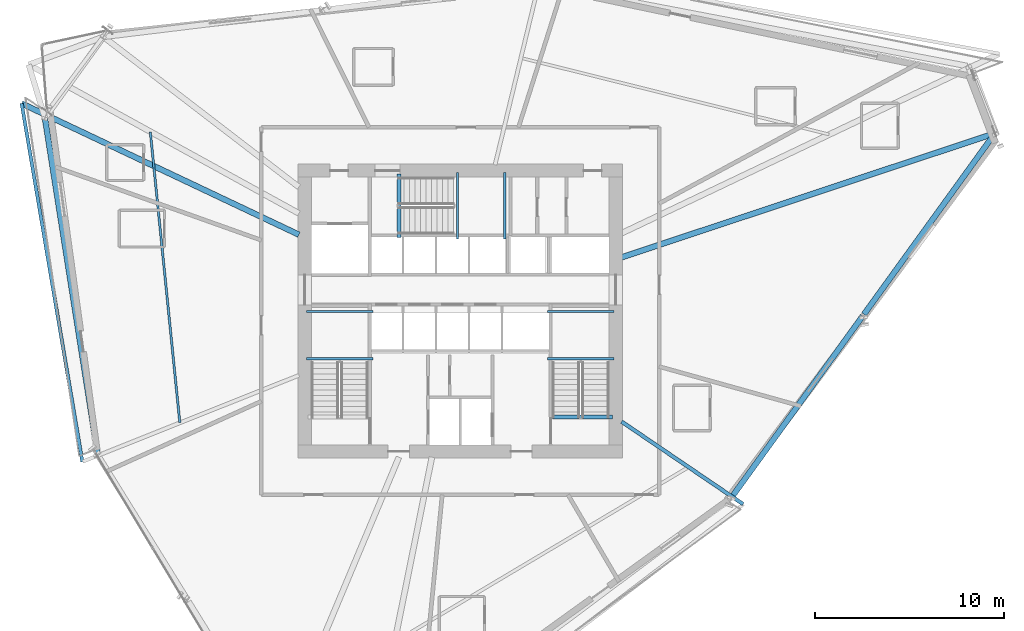
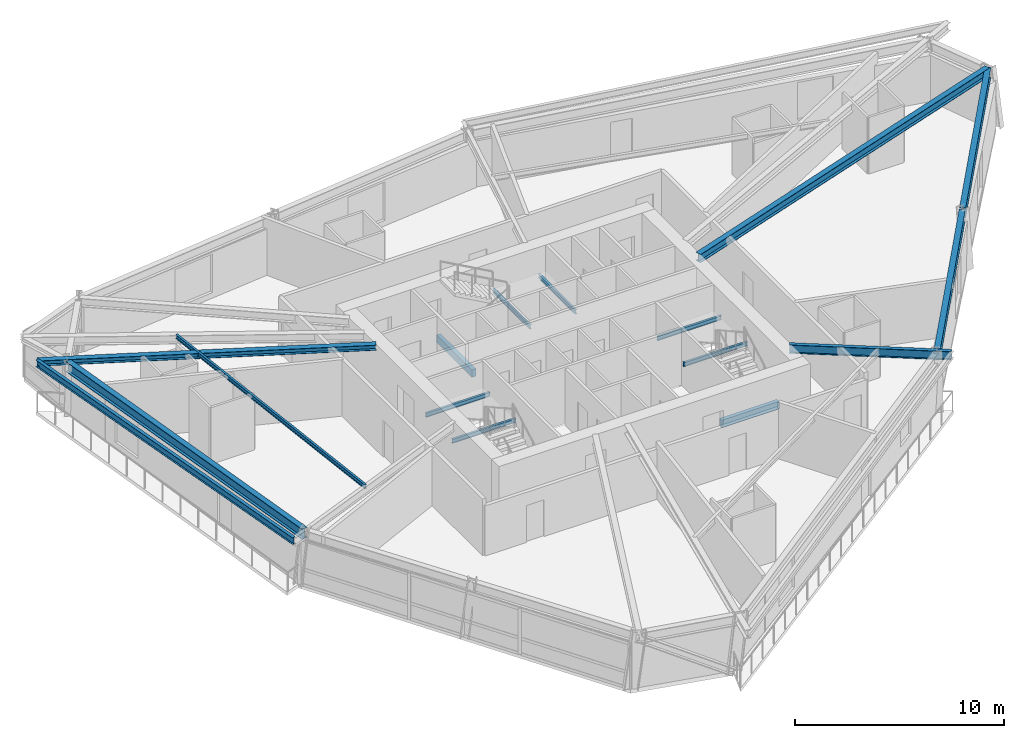
# One storey, part 5 of 18: 16 beams.
"""IFC4 building model written with IfcOpenShell, lengths in metres."""

from ifc_helpers import new_model, si_unit, direction, frame, origin, origin_2d, place, context, subcontext, project, spatial, rectangle, i_section, extrude, source, transform, mapped, material, material_profile, profile_set, type_object, element, save


model = new_model("IFC4")

# Units and contexts
model_context = context("Model", 3, precision=1e-05, world=origin(), true_north=direction((0.0, 1.0)))
body_context = subcontext(model_context, "Body", "Model", "MODEL_VIEW")
ifc_project = project(units=[si_unit("LENGTHUNIT", "METRE"), si_unit("AREAUNIT", "SQUARE_METRE"), si_unit("VOLUMEUNIT", "CUBIC_METRE"), si_unit("PLANEANGLEUNIT", "RADIAN"), si_unit("MASSUNIT", "GRAM", prefix="KILO")], contexts=[model_context])

# Site, building, storey
site_placement = place(None, origin())
site = spatial("IfcSite", under=ifc_project, at=site_placement, CompositionType="ELEMENT")
building_placement = place(site_placement, origin())
building = spatial("IfcBuilding", under=site, at=building_placement, Name="Olszyna Solenne Hotel", CompositionType="ELEMENT")
storey_placement = place(building_placement, frame((0.0, 0.0, 119.89990234375)))
storey = spatial("IfcBuildingStorey", under=building, at=storey_placement, Name="L31", CompositionType="ELEMENT", Elevation=119.89990234375)

# Beams
ifc_material_1 = material(Name="Steel S355J2", Category="steel")
ifc_material_profile_1 = material_profile(ifc_material_1, i_section(OverallWidth=0.300048828125, OverallDepth=0.60009765625, WebThickness=0.015380859375, FlangeThickness=0.030029296875, at=origin_2d()), Name="HEB 600", Category="load-bearing")
ifc_profile_set_1 = profile_set([ifc_material_profile_1], Name="Steel S355J2")
beam_type_1 = type_object("IfcBeamType", Name="BM-S2", PredefinedType="BEAM", material=ifc_profile_set_1)
shared_shape_1 = source(origin(), body_context, "Body", "SweptSolid", [
    extrude(i_section(OverallWidth=0.300048828125, OverallDepth=0.60009765625, WebThickness=0.015380859375, FlangeThickness=0.030029296875, at=origin_2d()), origin(), (0.0, 0.0, 1.0), 18.000732421875),
])
beam_1_placement = place(storey_placement, frame((15.97998046875, 36.7822265625, 3.0), z_axis=(0.155172032037, -0.987887463466, 0.0), x_axis=(0.987887463466, 0.155172032037, 0.0)))
element("IfcBeam", 1, at=beam_1_placement, inside=storey, type_object=beam_type_1, Name="Perimeter spandrel beam BM-S2 B-L31-0932", PredefinedType="BEAM", context=body_context, shape_type="MappedRepresentation", body=[
    mapped(shared_shape_1, transform((0.0, 0.0, 0.0), x_axis=(1.0, 0.0, 0.0), y_axis=(0.0, 1.0, 0.0), z_axis=(0.0, 0.0, 1.0), scale=1.0)),
])
shared_shape_2 = source(origin(), body_context, "Body", "SweptSolid", [
    extrude(i_section(OverallWidth=0.300048828125, OverallDepth=0.60009765625, WebThickness=0.015380859375, FlangeThickness=0.030029296875, at=origin_2d()), origin(), (0.0, 0.0, 1.0), 11.791259765625),
])
for number, where, z_axis, x_axis, name in (
    (2, (52.435546875, 16.77783203125, 3.0), (0.586149573625, 0.810202861844, 0.0), (-0.810202861844, 0.586149573625, 0.0), "Perimeter spandrel beam BM-S2 B-L31-0937"),
    (3, (59.41748046875, 26.42822265625, 3.0), (0.586139740744, 0.810209975451, 0.0), (-0.810209975451, 0.586139740744, 0.0), "Perimeter spandrel beam BM-S2 B-L31-0938"),
):
    element("IfcBeam", number, at=place(storey_placement, frame(where, z_axis=z_axis, x_axis=x_axis)), inside=storey, type_object=beam_type_1, Name=name, PredefinedType="BEAM", context=body_context, shape_type="MappedRepresentation", body=[
        mapped(shared_shape_2, transform((0.0, 0.0, 0.0), x_axis=(1.0, 0.0, 0.0), y_axis=(0.0, 1.0, 0.0), z_axis=(0.0, 0.0, 1.0), scale=1.0)),
    ])
ifc_material_profile_2 = material_profile(ifc_material_1, i_section(OverallWidth=0.300048828125, OverallDepth=0.489990234375, WebThickness=0.011962890625, FlangeThickness=0.02294921875, at=origin_2d()), Name="HEA 500", Category="load-bearing")
ifc_profile_set_2 = profile_set([ifc_material_profile_2], Name="Steel S355J2")
beam_type_2 = type_object("IfcBeamType", Name="BM-G1", PredefinedType="BEAM", material=ifc_profile_set_2)
shared_shape_3 = source(origin(), body_context, "Body", "SweptSolid", [
    extrude(i_section(OverallWidth=0.300048828125, OverallDepth=0.489990234375, WebThickness=0.011962890625, FlangeThickness=0.02294921875, at=origin_2d()), origin(), (0.0, 0.0, 1.0), 20.81787109375),
])
beam_2_placement = place(storey_placement, frame((66.30712890625, 36.01123046875, 3.05517578125), z_axis=(-0.948931628096, -0.315481798522, 0.0), x_axis=(0.315481798522, -0.948931628096, 0.0)))
element("IfcBeam", 4, at=beam_2_placement, inside=storey, type_object=beam_type_2, Name="Radial floor girder BM-G1 B-L31-0939", PredefinedType="BEAM", context=body_context, shape_type="MappedRepresentation", body=[
    mapped(shared_shape_3, transform((0.0, 0.0, 0.0), x_axis=(1.0, 0.0, 0.0), y_axis=(0.0, 1.0, 0.0), z_axis=(0.0, 0.0, 1.0), scale=1.0)),
])
ifc_material_profile_3 = material_profile(ifc_material_1, i_section(OverallWidth=0.199951171875, OverallDepth=0.5, WebThickness=0.01025390625, FlangeThickness=0.01611328125, at=origin_2d()), Name="IPE 500", Category="load-bearing")
ifc_profile_set_3 = profile_set([ifc_material_profile_3], Name="Steel S355J2")
beam_type_3 = type_object("IfcBeamType", Name="BM-F3", PredefinedType="BEAM", material=ifc_profile_set_3)
shared_shape_4 = source(origin(), body_context, "Body", "SweptSolid", [
    extrude(i_section(OverallWidth=0.199951171875, OverallDepth=0.5, WebThickness=0.01025390625, FlangeThickness=0.01611328125, at=origin_2d()), origin(), (0.0, 0.0, 1.0), 7.787353515625),
])
beam_3_placement = place(storey_placement, frame((53.00048828125, 16.357421875, 3.050048828125), z_axis=(-0.827185896935, 0.561928369022, 0.0), x_axis=(-0.561928369022, -0.827185896935, 0.0)))
element("IfcBeam", 5, at=beam_3_placement, inside=storey, type_object=beam_type_3, Name="Radial floor girder BM-F3 B-L31-0947", PredefinedType="BEAM", context=body_context, shape_type="MappedRepresentation", body=[
    mapped(shared_shape_4, transform((0.0, 0.0, 0.0), x_axis=(1.0, 0.0, 0.0), y_axis=(0.0, 1.0, 0.0), z_axis=(0.0, 0.0, 1.0), scale=1.0)),
])
ifc_material_profile_4 = material_profile(ifc_material_1, i_section(OverallWidth=0.300048828125, OverallDepth=0.31005859375, WebThickness=0.009033203125, FlangeThickness=0.015380859375, at=origin_2d()), Name="HEA 320", Category="load-bearing")
ifc_profile_set_4 = profile_set([ifc_material_profile_4], Name="Steel S355J2")
beam_type_4 = type_object("IfcBeamType", Name="BM-G3", PredefinedType="BEAM", material=ifc_profile_set_4)
shared_shape_5 = source(origin(), body_context, "Body", "SweptSolid", [
    extrude(i_section(OverallWidth=0.300048828125, OverallDepth=0.31005859375, WebThickness=0.009033203125, FlangeThickness=0.015380859375, at=origin_2d()), origin(), (0.0, 0.0, 1.0), 16.271484375),
])
beam_4_placement = place(storey_placement, frame((14.7373046875, 37.607421875, 3.14501953125), z_axis=(0.90391557139, -0.427710930184, 0.0), x_axis=(0.427710930184, 0.90391557139, 0.0)))
element("IfcBeam", 6, at=beam_4_placement, inside=storey, type_object=beam_type_4, Name="Loggia/prism radial back-span girder BM-G3 B-L31-0950", PredefinedType="BEAM", context=body_context, shape_type="MappedRepresentation", body=[
    mapped(shared_shape_5, transform((0.0, 0.0, 0.0), x_axis=(1.0, 0.0, 0.0), y_axis=(0.0, 1.0, 0.0), z_axis=(0.0, 0.0, 1.0), scale=1.0)),
])
ifc_material_profile_5 = material_profile(ifc_material_1, i_section(OverallWidth=0.1201171875, OverallDepth=0.239990234375, WebThickness=0.006103515625, FlangeThickness=0.009765625, at=origin_2d()), Name="IPE 240", Category="load-bearing")
ifc_profile_set_5 = profile_set([ifc_material_profile_5], Name="Steel S355J2")
beam_type_5 = type_object("IfcBeamType", Name="JS-03", PredefinedType="JOIST", material=ifc_profile_set_5)
shared_shape_6 = source(origin(), body_context, "Body", "SweptSolid", [
    extrude(i_section(OverallWidth=0.1201171875, OverallDepth=0.239990234375, WebThickness=0.006103515625, FlangeThickness=0.009765625, at=origin_2d()), origin(), (0.0, 0.0, 1.0), 15.486083984375),
])
beam_5_placement = place(storey_placement, frame((21.561279296875, 36.09619140625, 3.18017578125), z_axis=(0.100991145217, -0.994887324569, 0.0), x_axis=(0.994887324569, 0.100991145217, 0.0)))
element("IfcBeam", 7, at=beam_5_placement, inside=storey, type_object=beam_type_5, Name="Secondary composite floor joist JS-03 B-L31-0952", PredefinedType="JOIST", context=body_context, shape_type="MappedRepresentation", body=[
    mapped(shared_shape_6, transform((0.0, 0.0, 0.0), x_axis=(1.0, 0.0, 0.0), y_axis=(0.0, 1.0, 0.0), z_axis=(0.0, 0.0, 1.0), scale=1.0)),
])
ifc_material_profile_6 = material_profile(ifc_material_1, i_section(OverallWidth=0.179931640625, OverallDepth=0.39990234375, WebThickness=0.008544921875, FlangeThickness=0.013427734375, at=origin_2d()), Name="IPE 400", Category="load-bearing")
ifc_profile_set_6 = profile_set([ifc_material_profile_6], Name="Steel S355J2")
beam_type_6 = type_object("IfcBeamType", Name="BM-F5", PredefinedType="BEAM", material=ifc_profile_set_6)
shared_shape_7 = source(origin(), body_context, "Body", "SweptSolid", [
    extrude(i_section(OverallWidth=0.179931640625, OverallDepth=0.39990234375, WebThickness=0.008544921875, FlangeThickness=0.013427734375, at=origin_2d()), origin(), (0.0, 0.0, 1.0), 19.27197265625),
])
beam_6_placement = place(storey_placement, frame((14.7373046875, 37.607421875, 3.10009765625), z_axis=(0.167066903866, -0.985945561191, 0.0), x_axis=(0.985945561191, 0.167066903866, 0.0)))
element("IfcBeam", 8, at=beam_6_placement, inside=storey, type_object=beam_type_6, Name="Loggia outer edge beam BM-F5 B-L31-0955", PredefinedType="BEAM", context=body_context, shape_type="MappedRepresentation", body=[
    mapped(shared_shape_7, transform((0.0, 0.0, 0.0), x_axis=(1.0, 0.0, 0.0), y_axis=(0.0, 1.0, 0.0), z_axis=(0.0, 0.0, 1.0), scale=1.0)),
])
shared_shape_8 = source(origin(), body_context, "Body", "SweptSolid", [
    extrude(i_section(OverallWidth=0.1201171875, OverallDepth=0.239990234375, WebThickness=0.006103515625, FlangeThickness=0.009765625, at=origin_2d()), origin(), (0.0, 0.0, 1.0), 3.539794921875),
])
for number, where, z_axis, x_axis, name in (
    (9, (33.3798828125, 24.070068359375, 1.4501953125), (-1.0, 0.0, 0.0), (0.0, -1.0, 0.0), "Stair landing support beam JS-03 SLB-ST1-0067"),
    (10, (33.3798828125, 26.580078125, 1.4501953125), (-1.0, 0.0, 0.0), (0.0, -1.0, 0.0), "Stair landing support beam JS-03 SLB-ST1-0068"),
    (11, (46.159912109375, 24.070068359375, 1.4501953125), (-1.0, 0.0, 0.0), (0.0, -1.0, 0.0), "Stair landing support beam JS-03 SLB-ST2-0307"),
    (12, (46.159912109375, 26.580078125, 1.4501953125), (-1.0, 0.0, 0.0), (0.0, -1.0, 0.0), "Stair landing support beam JS-03 SLB-ST2-0308"),
):
    element("IfcBeam", number, at=place(storey_placement, frame(where, z_axis=z_axis, x_axis=x_axis)), inside=storey, type_object=beam_type_5, Name=name, PredefinedType="JOIST", context=body_context, shape_type="MappedRepresentation", body=[
        mapped(shared_shape_8, transform((0.0, 0.0, 0.0), x_axis=(1.0, 0.0, 0.0), y_axis=(0.0, 1.0, 0.0), z_axis=(0.0, 0.0, 1.0), scale=1.0)),
    ])
ifc_material_2 = material(Name="Concrete C50/60", Category="concrete")
ifc_material_profile_7 = material_profile(ifc_material_2, rectangle(XDim=0.219970703125, YDim=0.43994140625, at=origin_2d()), Name="RC 220x440", Category="load-bearing")
ifc_profile_set_7 = profile_set([ifc_material_profile_7], Name="Concrete C50/60")
beam_type_7 = type_object("IfcBeamType", Name="BM-ST1", PredefinedType="BEAM", material=ifc_profile_set_7)
shared_shape_9 = source(origin(), body_context, "Body", "SweptSolid", [
    extrude(rectangle(XDim=0.219970703125, YDim=0.43994140625, at=origin_2d()), origin(), (0.0, 0.0, 1.0), 3.18017578125),
])
beam_7_placement = place(storey_placement, frame((46.080078125, 20.97998046875, -0.204833984375), z_axis=(-1.0, 0.0, 0.0), x_axis=(0.0, -1.0, 0.0)))
element("IfcBeam", 13, at=beam_7_placement, inside=storey, type_object=beam_type_7, Name="Concrete stair trimmer beam BM-ST1 SHB-ST2-0433", PredefinedType="BEAM", context=body_context, shape_type="MappedRepresentation", body=[
    mapped(shared_shape_9, transform((0.0, 0.0, 0.0), x_axis=(1.0, 0.0, 0.0), y_axis=(0.0, 1.0, 0.0), z_axis=(0.0, 0.0, 1.0), scale=1.0)),
])
shared_shape_10 = source(origin(), body_context, "Body", "SweptSolid", [
    extrude(i_section(OverallWidth=0.1201171875, OverallDepth=0.239990234375, WebThickness=0.006103515625, FlangeThickness=0.009765625, at=origin_2d()), origin(), (0.0, 0.0, 1.0), 3.5400390625),
])
for number, where, z_axis, x_axis, name in (
    (14, (37.85009765625, 30.419921875, 1.4501953125), (0.0, 1.0, 0.0), (-1.0, 0.0, 0.0), "Stair landing support beam JS-03 SLB-ST3-0547"),
    (15, (40.360107421875, 30.419921875, 1.4501953125), (0.0, 1.0, 0.0), (-1.0, 0.0, 0.0), "Stair landing support beam JS-03 SLB-ST3-0548"),
):
    element("IfcBeam", number, at=place(storey_placement, frame(where, z_axis=z_axis, x_axis=x_axis)), inside=storey, type_object=beam_type_5, Name=name, PredefinedType="JOIST", context=body_context, shape_type="MappedRepresentation", body=[
        mapped(shared_shape_10, transform((0.0, 0.0, 0.0), x_axis=(1.0, 0.0, 0.0), y_axis=(0.0, 1.0, 0.0), z_axis=(0.0, 0.0, 1.0), scale=1.0)),
    ])
shared_shape_11 = source(origin(), body_context, "Body", "SweptSolid", [
    extrude(rectangle(XDim=0.219970703125, YDim=0.43994140625, at=origin_2d()), origin(), (0.0, 0.0, 1.0), 3.3798828125),
])
beam_8_placement = place(storey_placement, frame((34.760009765625, 30.5, -0.204833984375), z_axis=(0.0, 1.0, 0.0), x_axis=(-1.0, 0.0, 0.0)))
element("IfcBeam", 16, at=beam_8_placement, inside=storey, type_object=beam_type_7, Name="Concrete stair trimmer beam BM-ST1 SHB-ST3-0671", PredefinedType="BEAM", context=body_context, shape_type="MappedRepresentation", body=[
    mapped(shared_shape_11, transform((0.0, 0.0, 0.0), x_axis=(1.0, 0.0, 0.0), y_axis=(0.0, 1.0, 0.0), z_axis=(0.0, 0.0, 1.0), scale=1.0)),
])

save(model, "model.ifc")
